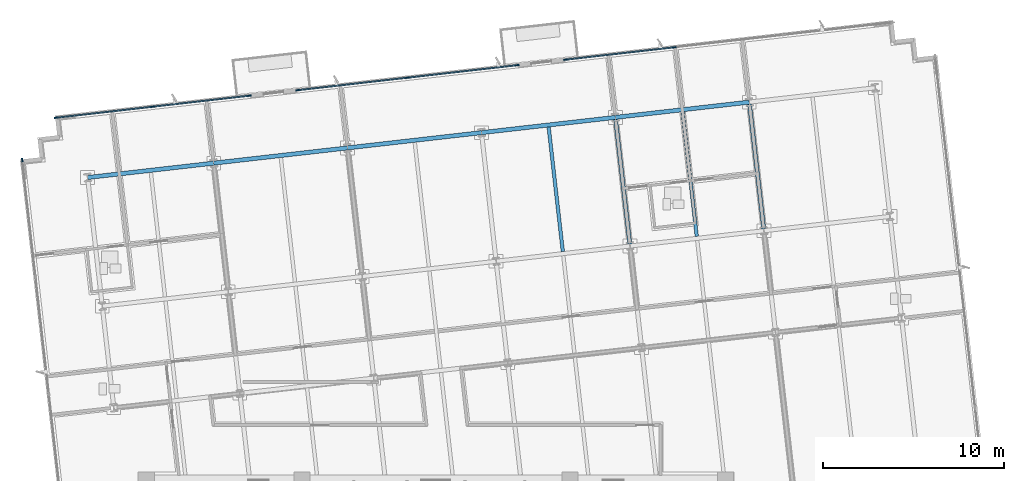
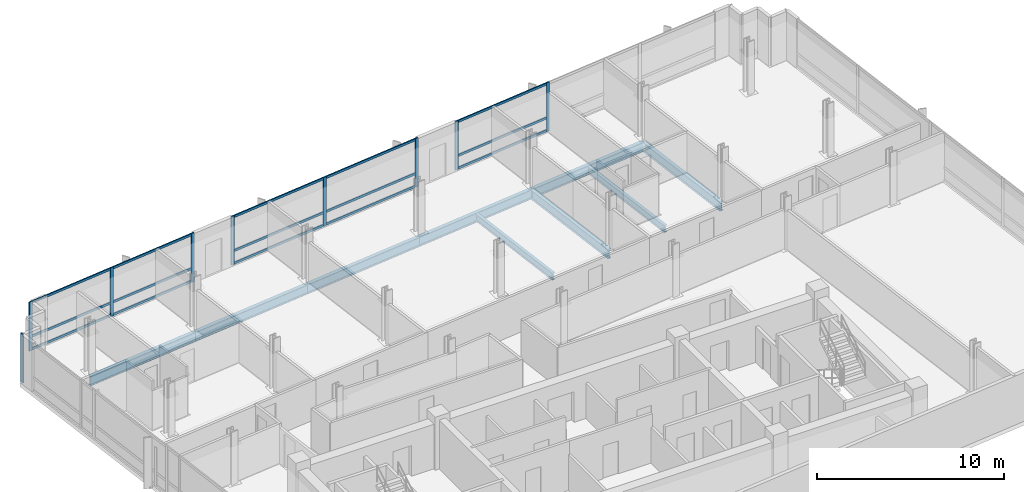
# One storey, part 5 of 15: 24 members, 9 beams, 4 elements without a shape of their own.
"""IFC4 building model written with IfcOpenShell, lengths in metres."""

import ifcopenshell
import ifcopenshell.guid

model = None  # the IFC model being written
_history = None  # IfcOwnerHistory: only IFC2X3 demands one
_inside = {}  # id of a spatial element -> (the spatial element, [elements in it])
_under = {}  # id of a project, library or spatial element -> (it, [spatial elements below it])
_declared = {}  # id of a project -> (the project, [libraries it declares])
_typed = {}  # id of a type object -> (the type object, [elements of that type])
_made_of = {}  # id of a material, layer set ... -> (it, [elements and type objects made of it])


def new_model(schema):
    """Start an empty IFC model of exactly this schema.

    Asked for "IFC4X3", IfcOpenShell would pick the latest addendum, in which some entities
    have other attributes; the version numbers below select the first issue.
    IFC2X3 requires an IfcOwnerHistory on every rooted entity: one is made here for all.
    """
    global model, _history
    if schema == "IFC4X3":
        model = ifcopenshell.file(schema_version=(4, 3, 0, 0))
    else:
        model = ifcopenshell.file(schema=schema)
    _inside.clear()
    _under.clear()
    _declared.clear()
    _typed.clear()
    _made_of.clear()
    _history = None
    if model.schema == "IFC2X3":
        org = make("IfcOrganization", Name="unknown")
        user = make(
            "IfcPersonAndOrganization",
            ThePerson=make("IfcPerson", FamilyName="unknown"),
            TheOrganization=org,
        )
        app = make(
            "IfcApplication",
            ApplicationDeveloper=org,
            Version="unknown",
            ApplicationFullName="unknown",
            ApplicationIdentifier="unknown",
        )
        _history = make(
            "IfcOwnerHistory",
            OwningUser=user,
            OwningApplication=app,
            ChangeAction="ADDED",
            CreationDate=0,
        )
    return model


def make(cls, **values):
    """One entity of the class cls with the attributes given. An attribute that is None is left unset."""
    return model.create_entity(
        cls, **{name: value for name, value in values.items() if value is not None}
    )


def rooted(cls, **values):
    """An entity with a GlobalId (a new one), such as an element, a storey or a relation."""
    return make(cls, GlobalId=ifcopenshell.guid.new(), OwnerHistory=_history, **values)


def si_unit(unit_type, name, prefix=None):
    """IfcSIUnit, for example si_unit("LENGTHUNIT", "METRE", prefix="MILLI")."""
    return make("IfcSIUnit", UnitType=unit_type, Prefix=prefix, Name=name)


def assignment(units):
    """IfcUnitAssignment: the units of a project."""
    return None if units is None else make("IfcUnitAssignment", Units=units)


def point(xyz):
    """IfcCartesianPoint."""
    return None if xyz is None else make("IfcCartesianPoint", Coordinates=xyz)


def direction(xyz):
    """IfcDirection."""
    return None if xyz is None else make("IfcDirection", DirectionRatios=xyz)


def frame(location, z_axis=None, x_axis=None):
    """IfcAxis2Placement3D, a coordinate frame: its origin and axes. An axis left out is left unset."""
    return make(
        "IfcAxis2Placement3D",
        Location=point(location),
        Axis=direction(z_axis),
        RefDirection=direction(x_axis),
    )


def frame_2d(location, x_axis=None):
    """IfcAxis2Placement2D, a coordinate frame in the plane: its origin and x axis."""
    return make(
        "IfcAxis2Placement2D", Location=point(location), RefDirection=direction(x_axis)
    )


def origin():
    """The frame at (0, 0, 0) with its axes left unset."""
    return frame((0.0, 0.0, 0.0))


def origin_2d():
    """The frame at (0, 0) in the plane with its x axis left unset."""
    return frame_2d((0.0, 0.0))


def place(relative_to, where):
    """IfcLocalPlacement: puts the frame where relative to a parent placement (None: the world)."""
    return make(
        "IfcLocalPlacement", PlacementRelTo=relative_to, RelativePlacement=where
    )


def context(
    kind, dimensions, precision=None, world=None, true_north=None, identifier=None
):
    """IfcGeometricRepresentationContext, for example the 3D "Model" context."""
    return make(
        "IfcGeometricRepresentationContext",
        ContextIdentifier=identifier,
        ContextType=kind,
        CoordinateSpaceDimension=dimensions,
        Precision=precision,
        WorldCoordinateSystem=world,
        TrueNorth=true_north,
    )


def subcontext(parent, identifier, kind, view, scale=None):
    """IfcGeometricRepresentationSubContext, for example "Body" below "Model"."""
    return make(
        "IfcGeometricRepresentationSubContext",
        ContextIdentifier=identifier,
        ContextType=kind,
        ParentContext=parent,
        TargetScale=scale,
        TargetView=view,
    )


def project(units=None, contexts=None):
    """IfcProject with its units and contexts."""
    return rooted(
        "IfcProject",
        Name="project",
        RepresentationContexts=contexts,
        UnitsInContext=assignment(units),
    )


def spatial(cls, under=None, at=None, **own):
    """A site, building, storey or space (cls), placed at a placement, below another one or the project."""
    s = rooted(cls, ObjectPlacement=at, **own)
    if under is not None:
        _under.setdefault(under.id(), (under, []))[1].append(s)
    return s


def profile(cls, at=None, kind="AREA", **sizes):
    """A parametric profile (cls). Its sizes go by their IFC names, for example OverallWidth=200.0."""
    return make(cls, ProfileType=kind, Position=at, **sizes)


def rectangle(**sizes):
    """IfcRectangleProfileDef."""
    return profile("IfcRectangleProfileDef", **sizes)


def i_section(**sizes):
    """IfcIShapeProfileDef."""
    return profile("IfcIShapeProfileDef", **sizes)


def extrude(swept, where, along, depth):
    """IfcExtrudedAreaSolid: the profile swept, set in the frame where, extruded along a direction by depth."""
    return make(
        "IfcExtrudedAreaSolid",
        SweptArea=swept,
        Position=where,
        ExtrudedDirection=direction(along),
        Depth=depth,
    )


def shape(context_of_items, identifier, shape_type, items):
    """IfcShapeRepresentation: the items that make up one representation, for example the "Body"."""
    return make(
        "IfcShapeRepresentation",
        ContextOfItems=context_of_items,
        RepresentationIdentifier=identifier,
        RepresentationType=shape_type,
        Items=items,
    )


def material(Name=None, Category=None):
    """IfcMaterial."""
    return make("IfcMaterial", Name=Name, Category=Category)


def material_profile(
    of_material, cross_section, Name=None, Category=None, Priority=None
):
    """IfcMaterialProfile: a cross section and its material."""
    return make(
        "IfcMaterialProfile",
        Name=Name,
        Material=of_material,
        Profile=cross_section,
        Priority=Priority,
        Category=Category,
    )


def profile_set(profiles, Name=None, composite=None):
    """IfcMaterialProfileSet."""
    return make(
        "IfcMaterialProfileSet",
        Name=Name,
        MaterialProfiles=profiles,
        CompositeProfile=composite,
    )


def made_of(thing, what):
    """Note that an element or type object is made of a material, layer set ...; save() writes the relation."""
    if what is not None:
        _made_of.setdefault(what.id(), (what, []))[1].append(thing)
    return thing


def type_object(cls, material=None, **own):
    """A type object (cls), such as IfcWallType, which elements share."""
    return made_of(rooted(cls, **own), material)


def element(
    cls,
    number,
    at=None,
    inside=None,
    cuts=None,
    type_object=None,
    material=None,
    context=None,
    identifier="Body",
    shape_type=None,
    held_by="IfcProductDefinitionShape",
    body=None,
    shapes=None,
    **own,
):
    """One element of the class cls, such as IfcWall. Its Tag is "e" and its number.

    at: its placement. inside: the storey or other place that contains it. cuts: it is an
    opening in that element (IfcRelVoidsElement). A single representation is given by context,
    identifier, shape_type and body (its items); several are given by shapes. held_by: the class
    of the entity that holds the representations. save() writes the other relations.
    """
    e = rooted(cls, Tag="e%d" % number, ObjectPlacement=at, **own)
    if body is not None:
        shapes = [shape(context, identifier, shape_type, body)]
    if shapes is not None:
        e.Representation = make(held_by, Representations=shapes)
    if inside is not None:
        _inside.setdefault(inside.id(), (inside, []))[1].append(e)
    if cuts is not None:
        rooted(
            "IfcRelVoidsElement", RelatingBuildingElement=cuts, RelatedOpeningElement=e
        )
    if type_object is not None:
        _typed.setdefault(type_object.id(), (type_object, []))[1].append(e)
    return made_of(e, material)


def aggregate(whole, parts):
    """IfcRelAggregates: a whole, such as a stair, and the parts it consists of."""
    return rooted("IfcRelAggregates", RelatingObject=whole, RelatedObjects=parts)


def save(model, path):
    """Write the relations noted so far, then the file.

    IfcRelAggregates (storeys below a building ...), IfcRelContainedInSpatialStructure (elements
    in a storey), IfcRelDefinesByType, IfcRelAssociatesMaterial and IfcRelDeclares: one each for
    every whole, place, type object, material and project.
    """
    for whole, parts in _under.values():
        aggregate(whole, parts)
    for where, things in _inside.values():
        rooted(
            "IfcRelContainedInSpatialStructure",
            RelatedElements=things,
            RelatingStructure=where,
        )
    for kind, things in _typed.values():
        rooted("IfcRelDefinesByType", RelatedObjects=things, RelatingType=kind)
    for what, things in _made_of.values():
        rooted("IfcRelAssociatesMaterial", RelatedObjects=things, RelatingMaterial=what)
    for by, libraries in _declared.values():
        rooted("IfcRelDeclares", RelatingContext=by, RelatedDefinitions=libraries)
    model.write(path)


model = new_model("IFC4")

# Units and contexts
model_context = context("Model", 3, precision=1e-05, world=origin(), true_north=direction((0.0, 1.0)))
body_context = subcontext(model_context, "Body", "Model", "MODEL_VIEW")
ifc_project = project(units=[si_unit("LENGTHUNIT", "METRE"), si_unit("AREAUNIT", "SQUARE_METRE"), si_unit("VOLUMEUNIT", "CUBIC_METRE"), si_unit("PLANEANGLEUNIT", "RADIAN"), si_unit("MASSUNIT", "GRAM", prefix="KILO")], contexts=[model_context])

# Site, building, storey
site_placement = place(None, origin())
site = spatial("IfcSite", under=ifc_project, at=site_placement, CompositionType="ELEMENT")
building_placement = place(site_placement, origin())
building = spatial("IfcBuilding", under=site, at=building_placement, Name="Solmavex Isthmus Hotel", CompositionType="ELEMENT")
storey_placement = place(building_placement, frame((0.0, 0.0, 226.199951171875)))
storey = spatial("IfcBuildingStorey", under=building, at=storey_placement, Name="L61", CompositionType="ELEMENT", Elevation=226.199951171875)

# Beams
ifc_material_1 = material(Name="Steel ASTM A992 Grade 50", Category="steel")
ifc_material_profile_1 = material_profile(ifc_material_1, i_section(OverallWidth=0.1904296875, OverallDepth=0.456787109375, WebThickness=0.009033203125, FlangeThickness=0.014404296875, FilletRadius=0.0126953125, at=origin_2d()), Name="W18X50")
ifc_profile_set_1 = profile_set([ifc_material_profile_1], Name="Steel ASTM A992 Grade 50")
beam_type_1 = type_object("IfcBeamType", Name="BM-BJ-W18X50", PredefinedType="JOIST", material=ifc_profile_set_1)
for number, where, z_axis, x_axis, name in (
    (1, (7.009033203125, 10.1328125, -0.48828125), (-0.113202453846, 0.993571942258, 0.0), (-0.993571942258, -0.113202453846, 0.0), "Secondary Floor Joist L61-J14"),
    (2, (14.4072265625, 10.975830078125, -0.48828125), (-0.113202453846, 0.993571942258, 0.0), (-0.993571942258, -0.113202453846, 0.0), "Secondary Floor Joist L61-J18"),
):
    element("IfcBeam", number, at=place(storey_placement, frame(where, z_axis=z_axis, x_axis=x_axis)), inside=storey, type_object=beam_type_1, Name=name, PredefinedType="JOIST", context=body_context, shape_type="SweptSolid", body=[
        extrude(i_section(OverallWidth=0.1904296875, OverallDepth=0.456787109375, WebThickness=0.009033203125, FlangeThickness=0.014404296875, FilletRadius=0.0126953125, at=origin_2d()), origin(), (0.0, 0.0, 1.0), 6.9228515625),
    ])
ifc_material_profile_2 = material_profile(ifc_material_1, i_section(OverallWidth=0.227783203125, OverallDepth=0.602783203125, WebThickness=0.010498046875, FlangeThickness=0.014892578125, FilletRadius=0.01513671875, at=origin_2d()), Name="W24X68")
ifc_profile_set_2 = profile_set([ifc_material_profile_2], Name="Steel ASTM A992 Grade 50")
beam_type_2 = type_object("IfcBeamType", Name="BM-BM-W24X68", PredefinedType="BEAM", material=ifc_profile_set_2)
for number, where, z_axis, x_axis, name in (
    (3, (10.708251953125, 10.55419921875, -0.561279296875), (-0.113202453846, 0.993571942258, 0.0), (-0.993571942258, -0.113202453846, 0.0), "Floor Beam L61-VG39"),
    (4, (18.106201171875, 11.397216796875, -0.561279296875), (-0.113202453846, 0.993571942258, 0.0), (-0.993571942258, -0.113202453846, 0.0), "Floor Beam L61-VG42"),
):
    element("IfcBeam", number, at=place(storey_placement, frame(where, z_axis=z_axis, x_axis=x_axis)), inside=storey, type_object=beam_type_2, Name=name, PredefinedType="BEAM", context=body_context, shape_type="SweptSolid", body=[
        extrude(i_section(OverallWidth=0.227783203125, OverallDepth=0.602783203125, WebThickness=0.010498046875, FlangeThickness=0.014892578125, FilletRadius=0.01513671875, at=origin_2d()), origin(), (0.0, 0.0, 1.0), 6.9228515625),
    ])
ifc_material_profile_3 = material_profile(ifc_material_1, i_section(OverallWidth=0.230224609375, OverallDepth=0.617431640625, WebThickness=0.01318359375, FlangeThickness=0.022216796875, FilletRadius=0.01513671875, at=origin_2d()), Name="W24X94")
ifc_profile_set_3 = profile_set([ifc_material_profile_3], Name="Steel ASTM A992 Grade 50")
beam_type_3 = type_object("IfcBeamType", Name="BM-SP-W24X94", PredefinedType="SPANDREL", material=ifc_profile_set_3)
beam_1_placement = place(storey_placement, frame((-19.245849609375, 14.22509765625, -0.568603515625), z_axis=(0.99357359356, 0.113187959519, 0.0), x_axis=(-0.113187959519, 0.99357359356, 0.0)))
element("IfcBeam", 5, at=beam_1_placement, inside=storey, type_object=beam_type_3, Name="Floor Girder L61-UG18", PredefinedType="SPANDREL", context=body_context, shape_type="SweptSolid", body=[
    extrude(i_section(OverallWidth=0.230224609375, OverallDepth=0.617431640625, WebThickness=0.01318359375, FlangeThickness=0.022216796875, FilletRadius=0.01513671875, at=origin_2d()), origin(), (0.0, 0.0, 1.0), 7.0078125),
])
beam_2_placement = place(storey_placement, frame((-12.282958984375, 15.018310546875, -0.568603515625), z_axis=(0.9935703463, 0.113216460607, 0.0), x_axis=(-0.113216460607, 0.9935703463, 0.0)))
element("IfcBeam", 6, at=beam_2_placement, inside=storey, type_object=beam_type_3, Name="Floor Girder L61-UG19", PredefinedType="SPANDREL", context=body_context, shape_type="SweptSolid", body=[
    extrude(i_section(OverallWidth=0.230224609375, OverallDepth=0.617431640625, WebThickness=0.01318359375, FlangeThickness=0.022216796875, FilletRadius=0.01513671875, at=origin_2d()), origin(), (0.0, 0.0, 1.0), 7.446044921875),
])
beam_3_placement = place(storey_placement, frame((-4.884765625, 15.861328125, -0.568603515625), z_axis=(0.993573613989, 0.113187780196, 0.0), x_axis=(-0.113187780196, 0.993573613989, 0.0)))
element("IfcBeam", 7, at=beam_3_placement, inside=storey, type_object=beam_type_3, Name="Floor Girder L61-UG20", PredefinedType="SPANDREL", context=body_context, shape_type="SweptSolid", body=[
    extrude(i_section(OverallWidth=0.230224609375, OverallDepth=0.617431640625, WebThickness=0.01318359375, FlangeThickness=0.022216796875, FilletRadius=0.01513671875, at=origin_2d()), origin(), (0.0, 0.0, 1.0), 7.44580078125),
])
for number, where, z_axis, x_axis, name in (
    (8, (2.51318359375, 16.7041015625, -0.568603515625), (0.9935703463, 0.113216460607, 0.0), (-0.113216460607, 0.9935703463, 0.0), "Floor Girder L61-UG21"),
    (9, (9.911376953125, 17.547119140625, -0.568603515625), (0.9935703463, 0.113216460607, 0.0), (-0.113216460607, 0.9935703463, 0.0), "Floor Girder L61-UG22"),
):
    element("IfcBeam", number, at=place(storey_placement, frame(where, z_axis=z_axis, x_axis=x_axis)), inside=storey, type_object=beam_type_3, Name=name, PredefinedType="SPANDREL", context=body_context, shape_type="SweptSolid", body=[
        extrude(i_section(OverallWidth=0.230224609375, OverallDepth=0.617431640625, WebThickness=0.01318359375, FlangeThickness=0.022216796875, FilletRadius=0.01513671875, at=origin_2d()), origin(), (0.0, 0.0, 1.0), 7.446044921875),
    ])

# Curtain wall, members
ifc_material_2 = material(Name="Aluminium alloy 6063-T6", Category="aluminium")
curtain_wall_type = type_object("IfcCurtainWallType", Name="CW-SYS-04", PredefinedType="NOTDEFINED", material=ifc_material_2)
curtain_wall_1_placement = place(storey_placement, origin())
curtain_wall_1 = element("IfcCurtainWall", 10, at=curtain_wall_1_placement, inside=storey, type_object=curtain_wall_type, Name="Stick Curtain Wall CWL-L61-N1", PredefinedType="NOTDEFINED")
ifc_material_profile_4 = material_profile(ifc_material_2, rectangle(XDim=0.074951171875, YDim=0.199951171875, at=origin_2d()), Name="CWM-75X200")
ifc_profile_set_4 = profile_set([ifc_material_profile_4], Name="Aluminium alloy 6063-T6")
member_type_1 = type_object("IfcMemberType", Name="CW-SYS-04-MUL", PredefinedType="MULLION", material=ifc_profile_set_4)
member_1_placement = place(storey_placement, frame((-20.99365234375, 17.528564453125, 0.0), z_axis=(0.0, 0.0, 1.0), x_axis=(-0.113202814871, 0.993571901125, 0.0)))
member_1 = element("IfcMember", 11, at=member_1_placement, type_object=member_type_1, Name="CW-04 mullion 1", PredefinedType="MULLION", context=body_context, shape_type="SweptSolid", body=[
    extrude(rectangle(XDim=0.074951171875, YDim=0.199951171875, at=origin_2d()), origin(), (0.0, 0.0, 1.0), 3.18994140625),
])
member_2_placement = place(storey_placement, frame((-15.650146484375, 18.13720703125, 0.0), z_axis=(0.0, 0.0, 1.0), x_axis=(-0.113202814871, 0.993571901125, 0.0)))
member_2 = element("IfcMember", 12, at=member_2_placement, type_object=member_type_1, Name="CW-04 mullion 2", PredefinedType="MULLION", context=body_context, shape_type="SweptSolid", body=[
    extrude(rectangle(XDim=0.074951171875, YDim=0.199951171875, at=origin_2d()), origin(), (0.0, 0.0, 1.0), 3.18994140625),
])
member_3_placement = place(storey_placement, frame((-10.306884765625, 18.74609375, 0.0), z_axis=(0.0, 0.0, 1.0), x_axis=(-0.113202814871, 0.993571901125, 0.0)))
member_3 = element("IfcMember", 13, at=member_3_placement, type_object=member_type_1, Name="CW-04 mullion 3", PredefinedType="MULLION", context=body_context, shape_type="SweptSolid", body=[
    extrude(rectangle(XDim=0.074951171875, YDim=0.199951171875, at=origin_2d()), origin(), (0.0, 0.0, 1.0), 3.18994140625),
])

curtain_wall_2_placement = place(storey_placement, origin())
curtain_wall_2 = element("IfcCurtainWall", 14, at=curtain_wall_2_placement, inside=storey, type_object=curtain_wall_type, Name="Stick Curtain Wall CWL-L61-N2", PredefinedType="NOTDEFINED")
member_4_placement = place(storey_placement, frame((-7.64892578125, 19.048828125, 0.0), z_axis=(0.0, 0.0, 1.0), x_axis=(-0.113202856801, 0.993571896348, 0.0)))
member_4 = element("IfcMember", 15, at=member_4_placement, type_object=member_type_1, Name="CW-04 mullion 1", PredefinedType="MULLION", context=body_context, shape_type="SweptSolid", body=[
    extrude(rectangle(XDim=0.074951171875, YDim=0.199951171875, at=origin_2d()), origin(), (0.0, 0.0, 1.0), 3.18994140625),
])
member_5_placement = place(storey_placement, frame((-1.579833984375, 19.740478515625, 0.0), z_axis=(0.0, 0.0, 1.0), x_axis=(-0.113202856801, 0.993571896348, 0.0)))
member_5 = element("IfcMember", 16, at=member_5_placement, type_object=member_type_1, Name="CW-04 mullion 2", PredefinedType="MULLION", context=body_context, shape_type="SweptSolid", body=[
    extrude(rectangle(XDim=0.074951171875, YDim=0.199951171875, at=origin_2d()), origin(), (0.0, 0.0, 1.0), 3.18994140625),
])
member_6_placement = place(storey_placement, frame((4.489501953125, 20.431884765625, 0.0), z_axis=(0.0, 0.0, 1.0), x_axis=(-0.113202856801, 0.993571896348, 0.0)))
member_6 = element("IfcMember", 17, at=member_6_placement, type_object=member_type_1, Name="CW-04 mullion 3", PredefinedType="MULLION", context=body_context, shape_type="SweptSolid", body=[
    extrude(rectangle(XDim=0.074951171875, YDim=0.199951171875, at=origin_2d()), origin(), (0.0, 0.0, 1.0), 3.18994140625),
])

curtain_wall_3_placement = place(storey_placement, origin())
curtain_wall_3 = element("IfcCurtainWall", 18, at=curtain_wall_3_placement, inside=storey, type_object=curtain_wall_type, Name="Stick Curtain Wall CWL-L61-N3", PredefinedType="NOTDEFINED")
member_7_placement = place(storey_placement, frame((7.147216796875, 20.734619140625, 0.0), z_axis=(0.0, 0.0, 1.0), x_axis=(-0.113203493636, 0.99357182379, 0.0)))
member_7 = element("IfcMember", 19, at=member_7_placement, type_object=member_type_1, Name="CW-04 mullion 1", PredefinedType="MULLION", context=body_context, shape_type="SweptSolid", body=[
    extrude(rectangle(XDim=0.074951171875, YDim=0.199951171875, at=origin_2d()), origin(), (0.0, 0.0, 1.0), 3.18994140625),
])
member_8_placement = place(storey_placement, frame((13.163330078125, 21.420166015625, 0.0), z_axis=(0.0, 0.0, 1.0), x_axis=(-0.113203493636, 0.99357182379, 0.0)))
member_8 = element("IfcMember", 20, at=member_8_placement, type_object=member_type_1, Name="CW-04 mullion 2", PredefinedType="MULLION", context=body_context, shape_type="SweptSolid", body=[
    extrude(rectangle(XDim=0.074951171875, YDim=0.199951171875, at=origin_2d()), origin(), (0.0, 0.0, 1.0), 3.18994140625),
])

# Curtain wall, member
curtain_wall_4_placement = place(storey_placement, origin())
curtain_wall_4 = element("IfcCurtainWall", 21, at=curtain_wall_4_placement, inside=storey, type_object=curtain_wall_type, Name="Stick Curtain Wall CWL-L61-W1", PredefinedType="NOTDEFINED")
member_9_placement = place(storey_placement, frame((-22.85791015625, 15.184814453125, 0.0), z_axis=(0.0, 0.0, 1.0), x_axis=(-0.993571836648, -0.11320338078, 0.0)))
member_9 = element("IfcMember", 22, at=member_9_placement, type_object=member_type_1, Name="CW-04 mullion 6", PredefinedType="MULLION", context=body_context, shape_type="SweptSolid", body=[
    extrude(rectangle(XDim=0.074951171875, YDim=0.199951171875, at=origin_2d()), origin(), (0.0, 0.0, 1.0), 3.18994140625),
])
aggregate(curtain_wall_4, [member_9])

# Member
ifc_material_profile_5 = material_profile(ifc_material_2, rectangle(XDim=0.074951171875, YDim=0.14990234375, at=origin_2d()), Name="CWT-75X150")
ifc_profile_set_5 = profile_set([ifc_material_profile_5], Name="Aluminium alloy 6063-T6")
member_type_2 = type_object("IfcMemberType", Name="CW-SYS-04-TRN", PredefinedType="USERDEFINED", material=ifc_profile_set_5)
member_10_placement = place(storey_placement, frame((-20.956298828125, 17.53271484375, 0.074951171875), z_axis=(0.993571049718, 0.113210287348, 0.0), x_axis=(-0.113210287348, 0.993571049718, 0.0)))
member_10 = element("IfcMember", 23, at=member_10_placement, type_object=member_type_2, Name="CW-04 transom 1.1", ObjectType="TRANSOM", PredefinedType="USERDEFINED", context=body_context, shape_type="SweptSolid", body=[
    extrude(rectangle(XDim=0.074951171875, YDim=0.14990234375, at=origin_2d()), origin(), (0.0, 0.0, 1.0), 5.302978515625),
])

member_11_placement = place(storey_placement, frame((-20.956298828125, 17.53271484375, 0.900146484375), z_axis=(0.993571049718, 0.113210287348, 0.0), x_axis=(-0.113210287348, 0.993571049718, 0.0)))
member_11 = element("IfcMember", 24, at=member_11_placement, type_object=member_type_2, Name="CW-04 transom 1.2", ObjectType="TRANSOM", PredefinedType="USERDEFINED", context=body_context, shape_type="SweptSolid", body=[
    extrude(rectangle(XDim=0.074951171875, YDim=0.14990234375, at=origin_2d()), origin(), (0.0, 0.0, 1.0), 5.302978515625),
])

member_12_placement = place(storey_placement, frame((-20.956298828125, 17.53271484375, 3.114990234375), z_axis=(0.993571049718, 0.113210287348, 0.0), x_axis=(-0.113210287348, 0.993571049718, 0.0)))
member_12 = element("IfcMember", 25, at=member_12_placement, type_object=member_type_2, Name="CW-04 transom 1.3", ObjectType="TRANSOM", PredefinedType="USERDEFINED", context=body_context, shape_type="SweptSolid", body=[
    extrude(rectangle(XDim=0.074951171875, YDim=0.14990234375, at=origin_2d()), origin(), (0.0, 0.0, 1.0), 5.302978515625),
])

member_13_placement = place(storey_placement, frame((-15.613037109375, 18.1416015625, 0.074951171875), z_axis=(0.993571639742, 0.113205108986, 0.0), x_axis=(-0.113205108986, 0.993571639742, 0.0)))
member_13 = element("IfcMember", 26, at=member_13_placement, type_object=member_type_2, Name="CW-04 transom 2.1", ObjectType="TRANSOM", PredefinedType="USERDEFINED", context=body_context, shape_type="SweptSolid", body=[
    extrude(rectangle(XDim=0.074951171875, YDim=0.14990234375, at=origin_2d()), origin(), (0.0, 0.0, 1.0), 5.30322265625),
])

member_14_placement = place(storey_placement, frame((-15.613037109375, 18.1416015625, 0.900146484375), z_axis=(0.993571639742, 0.113205108986, 0.0), x_axis=(-0.113205108986, 0.993571639742, 0.0)))
member_14 = element("IfcMember", 27, at=member_14_placement, type_object=member_type_2, Name="CW-04 transom 2.2", ObjectType="TRANSOM", PredefinedType="USERDEFINED", context=body_context, shape_type="SweptSolid", body=[
    extrude(rectangle(XDim=0.074951171875, YDim=0.14990234375, at=origin_2d()), origin(), (0.0, 0.0, 1.0), 5.30322265625),
])

member_15_placement = place(storey_placement, frame((-15.613037109375, 18.1416015625, 3.114990234375), z_axis=(0.993571639742, 0.113205108986, 0.0), x_axis=(-0.113205108986, 0.993571639742, 0.0)))
member_15 = element("IfcMember", 28, at=member_15_placement, type_object=member_type_2, Name="CW-04 transom 2.3", ObjectType="TRANSOM", PredefinedType="USERDEFINED", context=body_context, shape_type="SweptSolid", body=[
    extrude(rectangle(XDim=0.074951171875, YDim=0.14990234375, at=origin_2d()), origin(), (0.0, 0.0, 1.0), 5.30322265625),
])

aggregate(curtain_wall_1, [member_1, member_2, member_3, member_10, member_11, member_12, member_13, member_14, member_15])

member_16_placement = place(storey_placement, frame((-7.61181640625, 19.05322265625, 0.074951171875), z_axis=(0.993574990392, 0.113175697338, 0.0), x_axis=(-0.113175697338, 0.993574990392, 0.0)))
member_16 = element("IfcMember", 29, at=member_16_placement, type_object=member_type_2, Name="CW-04 transom 1.1", ObjectType="TRANSOM", PredefinedType="USERDEFINED", context=body_context, shape_type="SweptSolid", body=[
    extrude(rectangle(XDim=0.074951171875, YDim=0.14990234375, at=origin_2d()), origin(), (0.0, 0.0, 1.0), 6.03369140625),
])

member_17_placement = place(storey_placement, frame((-7.61181640625, 19.05322265625, 0.900146484375), z_axis=(0.993574990392, 0.113175697338, 0.0), x_axis=(-0.113175697338, 0.993574990392, 0.0)))
member_17 = element("IfcMember", 30, at=member_17_placement, type_object=member_type_2, Name="CW-04 transom 1.2", ObjectType="TRANSOM", PredefinedType="USERDEFINED", context=body_context, shape_type="SweptSolid", body=[
    extrude(rectangle(XDim=0.074951171875, YDim=0.14990234375, at=origin_2d()), origin(), (0.0, 0.0, 1.0), 6.03369140625),
])

member_18_placement = place(storey_placement, frame((-7.61181640625, 19.05322265625, 3.114990234375), z_axis=(0.993574990392, 0.113175697338, 0.0), x_axis=(-0.113175697338, 0.993574990392, 0.0)))
member_18 = element("IfcMember", 31, at=member_18_placement, type_object=member_type_2, Name="CW-04 transom 1.3", ObjectType="TRANSOM", PredefinedType="USERDEFINED", context=body_context, shape_type="SweptSolid", body=[
    extrude(rectangle(XDim=0.074951171875, YDim=0.14990234375, at=origin_2d()), origin(), (0.0, 0.0, 1.0), 6.03369140625),
])

member_19_placement = place(storey_placement, frame((-1.54248046875, 19.74462890625, 0.074951171875), z_axis=(0.993569920899, 0.113220193804, 0.0), x_axis=(-0.113220193804, 0.993569920899, 0.0)))
member_19 = element("IfcMember", 32, at=member_19_placement, type_object=member_type_2, Name="CW-04 transom 2.1", ObjectType="TRANSOM", PredefinedType="USERDEFINED", context=body_context, shape_type="SweptSolid", body=[
    extrude(rectangle(XDim=0.074951171875, YDim=0.14990234375, at=origin_2d()), origin(), (0.0, 0.0, 1.0), 6.033447265625),
])

member_20_placement = place(storey_placement, frame((-1.54248046875, 19.74462890625, 0.900146484375), z_axis=(0.993569920899, 0.113220193804, 0.0), x_axis=(-0.113220193804, 0.993569920899, 0.0)))
member_20 = element("IfcMember", 33, at=member_20_placement, type_object=member_type_2, Name="CW-04 transom 2.2", ObjectType="TRANSOM", PredefinedType="USERDEFINED", context=body_context, shape_type="SweptSolid", body=[
    extrude(rectangle(XDim=0.074951171875, YDim=0.14990234375, at=origin_2d()), origin(), (0.0, 0.0, 1.0), 6.033447265625),
])

member_21_placement = place(storey_placement, frame((-1.54248046875, 19.74462890625, 3.114990234375), z_axis=(0.993569920899, 0.113220193804, 0.0), x_axis=(-0.113220193804, 0.993569920899, 0.0)))
member_21 = element("IfcMember", 34, at=member_21_placement, type_object=member_type_2, Name="CW-04 transom 2.3", ObjectType="TRANSOM", PredefinedType="USERDEFINED", context=body_context, shape_type="SweptSolid", body=[
    extrude(rectangle(XDim=0.074951171875, YDim=0.14990234375, at=origin_2d()), origin(), (0.0, 0.0, 1.0), 6.033447265625),
])

aggregate(curtain_wall_2, [member_4, member_5, member_6, member_16, member_17, member_18, member_19, member_20, member_21])

member_22_placement = place(storey_placement, frame((7.1845703125, 20.739013671875, 0.074951171875), z_axis=(0.993570647741, 0.113213815179, 0.0), x_axis=(-0.113213815179, 0.993570647741, 0.0)))
member_22 = element("IfcMember", 35, at=member_22_placement, type_object=member_type_2, Name="CW-04 transom 1.1", ObjectType="TRANSOM", PredefinedType="USERDEFINED", context=body_context, shape_type="SweptSolid", body=[
    extrude(rectangle(XDim=0.074951171875, YDim=0.14990234375, at=origin_2d()), origin(), (0.0, 0.0, 1.0), 5.979736328125),
])

member_23_placement = place(storey_placement, frame((7.1845703125, 20.739013671875, 0.900146484375), z_axis=(0.993570647741, 0.113213815179, 0.0), x_axis=(-0.113213815179, 0.993570647741, 0.0)))
member_23 = element("IfcMember", 36, at=member_23_placement, type_object=member_type_2, Name="CW-04 transom 1.2", ObjectType="TRANSOM", PredefinedType="USERDEFINED", context=body_context, shape_type="SweptSolid", body=[
    extrude(rectangle(XDim=0.074951171875, YDim=0.14990234375, at=origin_2d()), origin(), (0.0, 0.0, 1.0), 5.979736328125),
])

member_24_placement = place(storey_placement, frame((7.1845703125, 20.739013671875, 3.114990234375), z_axis=(0.993570647741, 0.113213815179, 0.0), x_axis=(-0.113213815179, 0.993570647741, 0.0)))
member_24 = element("IfcMember", 37, at=member_24_placement, type_object=member_type_2, Name="CW-04 transom 1.3", ObjectType="TRANSOM", PredefinedType="USERDEFINED", context=body_context, shape_type="SweptSolid", body=[
    extrude(rectangle(XDim=0.074951171875, YDim=0.14990234375, at=origin_2d()), origin(), (0.0, 0.0, 1.0), 5.979736328125),
])

aggregate(curtain_wall_3, [member_7, member_8, member_22, member_23, member_24])

save(model, "model.ifc")
